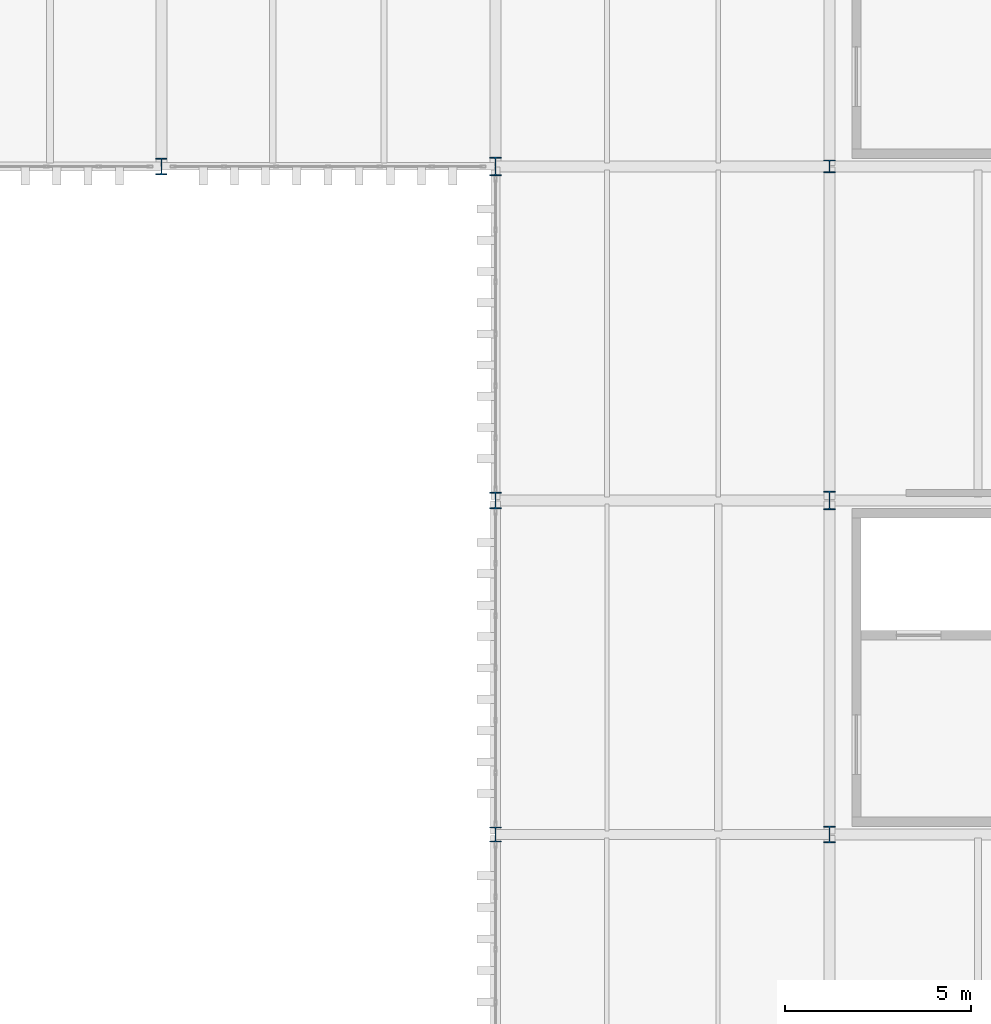
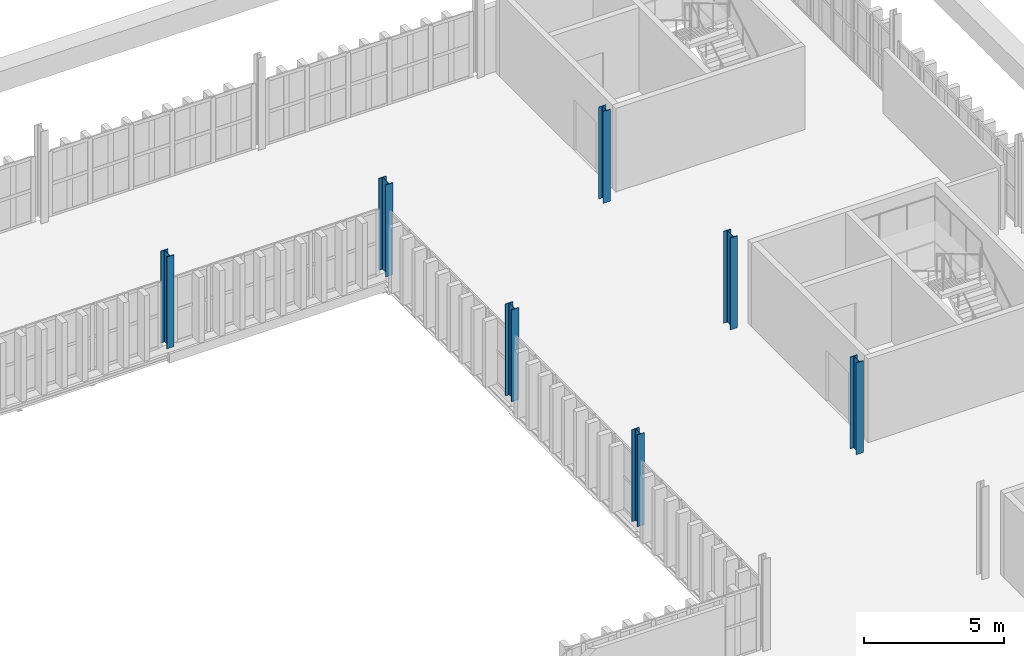
# One storey, part 10 of 102: 7 columns.
"""IFC4 building model written with IfcOpenShell, lengths in metres."""

from ifc_helpers import new_model, si_unit, direction, frame, origin, origin_2d, place, context, subcontext, project, spatial, i_section, extrude, material, material_profile, profile_set, type_object, element, save


model = new_model("IFC4")

# Units and contexts
model_context = context("Model", 3, precision=1e-05, world=origin(), true_north=direction((0.0, 1.0)))
body_context = subcontext(model_context, "Body", "Model", "MODEL_VIEW")
ifc_project = project(units=[si_unit("LENGTHUNIT", "METRE"), si_unit("AREAUNIT", "SQUARE_METRE"), si_unit("VOLUMEUNIT", "CUBIC_METRE"), si_unit("PLANEANGLEUNIT", "RADIAN"), si_unit("MASSUNIT", "GRAM", prefix="KILO")], contexts=[model_context])

# Site, building, storey
site_placement = place(None, origin())
site = spatial("IfcSite", under=ifc_project, at=site_placement, CompositionType="ELEMENT")
building_placement = place(site_placement, origin())
building = spatial("IfcBuilding", under=site, at=building_placement, Name="Barlavento Convention Centre", CompositionType="ELEMENT")
storey_placement = place(building_placement, frame((0.0, 0.0, 22.800048828125)))
storey = spatial("IfcBuildingStorey", under=building, at=storey_placement, Name="L04", CompositionType="ELEMENT", Elevation=22.800048828125)

# Columns
ifc_material = material(Name="Steel S355", Category="steel")
ifc_material_profile_1 = material_profile(ifc_material, i_section(OverallWidth=0.300048828125, OverallDepth=0.340087890625, WebThickness=0.011962890625, FlangeThickness=0.021484375, FilletRadius=0.027099609375, at=origin_2d()), Name="HEB 340")
ifc_profile_set_1 = profile_set([ifc_material_profile_1], Name="Steel S355")
column_type_1 = type_object("IfcColumnType", Name="STR-COL-HEB340", PredefinedType="COLUMN", material=ifc_profile_set_1)
column_1_placement = place(storey_placement, frame((180.0, 90.0, 0.0), z_axis=(0.0, 0.0, 1.0), x_axis=(1.0, 0.0, 0.0)))
element("IfcColumn", 1, at=column_1_placement, inside=storey, type_object=column_type_1, Name="L04 column SC12", PredefinedType="COLUMN", context=body_context, shape_type="SweptSolid", body=[
    extrude(i_section(OverallWidth=0.300048828125, OverallDepth=0.340087890625, WebThickness=0.011962890625, FlangeThickness=0.021484375, FilletRadius=0.027099609375, at=origin_2d()), origin(), (0.0, 0.0, 1.0), 4.0),
])
ifc_material_profile_2 = material_profile(ifc_material, i_section(OverallWidth=0.300048828125, OverallDepth=0.39990234375, WebThickness=0.013427734375, FlangeThickness=0.02392578125, FilletRadius=0.027099609375, at=origin_2d()), Name="HEB 400")
ifc_profile_set_2 = profile_set([ifc_material_profile_2], Name="Steel S355")
column_type_2 = type_object("IfcColumnType", Name="STR-COL-HEB400", PredefinedType="COLUMN", material=ifc_profile_set_2)
column_2_placement = place(storey_placement, frame((171.0, 72.0, 0.0), z_axis=(0.0, 0.0, 1.0), x_axis=(1.0, 0.0, 0.0)))
element("IfcColumn", 2, at=column_2_placement, inside=storey, type_object=column_type_2, Name="L04 column SC11", PredefinedType="COLUMN", context=body_context, shape_type="SweptSolid", body=[
    extrude(i_section(OverallWidth=0.300048828125, OverallDepth=0.39990234375, WebThickness=0.013427734375, FlangeThickness=0.02392578125, FilletRadius=0.027099609375, at=origin_2d()), origin(), (0.0, 0.0, 1.0), 4.0),
])
ifc_material_profile_3 = material_profile(ifc_material, i_section(OverallWidth=0.300048828125, OverallDepth=0.449951171875, WebThickness=0.013916015625, FlangeThickness=0.02587890625, FilletRadius=0.027099609375, at=origin_2d()), Name="HEB 450")
ifc_profile_set_3 = profile_set([ifc_material_profile_3], Name="Steel S355")
column_type_3 = type_object("IfcColumnType", Name="STR-COL-HEB450", PredefinedType="COLUMN", material=ifc_profile_set_3)
for number, where, z_axis, x_axis, name in (
    (3, (162.0, 90.0, 0.0), (0.0, 0.0, 1.0), (1.0, 0.0, 0.0), "L04 column SC10"),
    (4, (171.0, 81.0, 0.0), (0.0, 0.0, 1.0), (1.0, 0.0, 0.0), "L04 column SC10"),
    (5, (180.0, 72.0, 0.0), (0.0, 0.0, 1.0), (1.0, 0.0, 0.0), "L04 column SC10"),
):
    element("IfcColumn", number, at=place(storey_placement, frame(where, z_axis=z_axis, x_axis=x_axis)), inside=storey, type_object=column_type_3, Name=name, PredefinedType="COLUMN", context=body_context, shape_type="SweptSolid", body=[
        extrude(i_section(OverallWidth=0.300048828125, OverallDepth=0.449951171875, WebThickness=0.013916015625, FlangeThickness=0.02587890625, FilletRadius=0.027099609375, at=origin_2d()), origin(), (0.0, 0.0, 1.0), 4.0),
    ])
ifc_material_profile_4 = material_profile(ifc_material, i_section(OverallWidth=0.300048828125, OverallDepth=0.5, WebThickness=0.014404296875, FlangeThickness=0.028076171875, FilletRadius=0.027099609375, at=origin_2d()), Name="HEB 500")
ifc_profile_set_4 = profile_set([ifc_material_profile_4], Name="Steel S355")
column_type_4 = type_object("IfcColumnType", Name="STR-COL-HEB500", PredefinedType="COLUMN", material=ifc_profile_set_4)
for number, where, z_axis, x_axis, name in (
    (6, (171.0, 90.0, 0.0), (0.0, 0.0, 1.0), (1.0, 0.0, 0.0), "L04 column SC09"),
    (7, (180.0, 81.0, 0.0), (0.0, 0.0, 1.0), (1.0, 0.0, 0.0), "L04 column SC09"),
):
    element("IfcColumn", number, at=place(storey_placement, frame(where, z_axis=z_axis, x_axis=x_axis)), inside=storey, type_object=column_type_4, Name=name, PredefinedType="COLUMN", context=body_context, shape_type="SweptSolid", body=[
        extrude(i_section(OverallWidth=0.300048828125, OverallDepth=0.5, WebThickness=0.014404296875, FlangeThickness=0.028076171875, FilletRadius=0.027099609375, at=origin_2d()), origin(), (0.0, 0.0, 1.0), 4.0),
    ])

save(model, "model.ifc")
